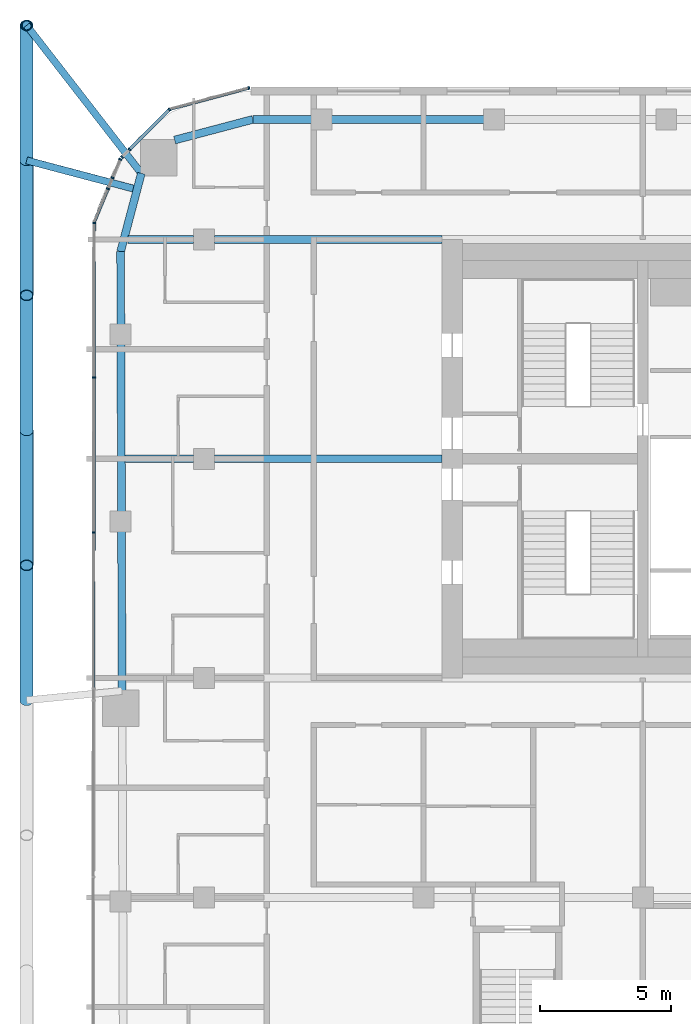
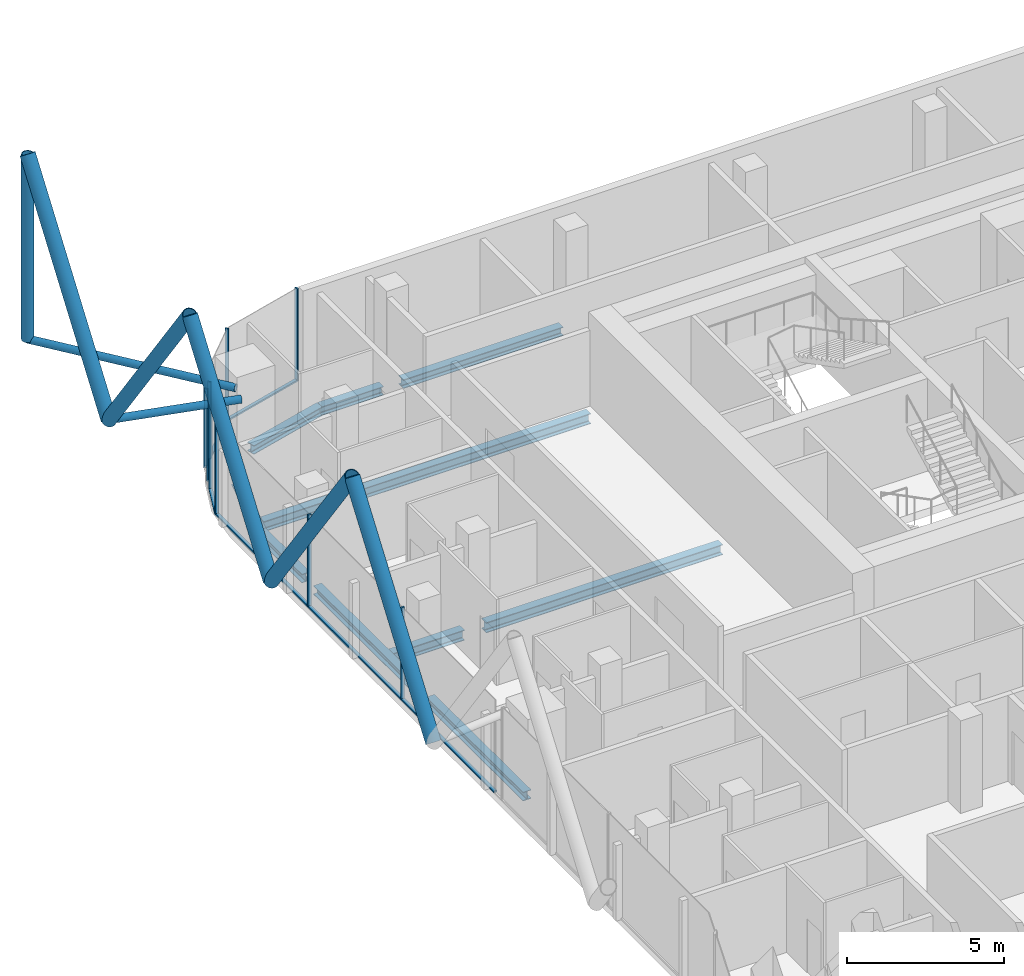
# One storey, part 8 of 31: 24 members, 11 beams, 7 elements without a shape of their own.
"""IFC4 building model written with IfcOpenShell, lengths in metres."""

import ifcopenshell
import ifcopenshell.guid

model = None  # the IFC model being written
_history = None  # IfcOwnerHistory: only IFC2X3 demands one
_inside = {}  # id of a spatial element -> (the spatial element, [elements in it])
_under = {}  # id of a project, library or spatial element -> (it, [spatial elements below it])
_declared = {}  # id of a project -> (the project, [libraries it declares])
_typed = {}  # id of a type object -> (the type object, [elements of that type])
_made_of = {}  # id of a material, layer set ... -> (it, [elements and type objects made of it])


def new_model(schema):
    """Start an empty IFC model of exactly this schema.

    Asked for "IFC4X3", IfcOpenShell would pick the latest addendum, in which some entities
    have other attributes; the version numbers below select the first issue.
    IFC2X3 requires an IfcOwnerHistory on every rooted entity: one is made here for all.
    """
    global model, _history
    if schema == "IFC4X3":
        model = ifcopenshell.file(schema_version=(4, 3, 0, 0))
    else:
        model = ifcopenshell.file(schema=schema)
    _inside.clear()
    _under.clear()
    _declared.clear()
    _typed.clear()
    _made_of.clear()
    _history = None
    if model.schema == "IFC2X3":
        org = make("IfcOrganization", Name="unknown")
        user = make(
            "IfcPersonAndOrganization",
            ThePerson=make("IfcPerson", FamilyName="unknown"),
            TheOrganization=org,
        )
        app = make(
            "IfcApplication",
            ApplicationDeveloper=org,
            Version="unknown",
            ApplicationFullName="unknown",
            ApplicationIdentifier="unknown",
        )
        _history = make(
            "IfcOwnerHistory",
            OwningUser=user,
            OwningApplication=app,
            ChangeAction="ADDED",
            CreationDate=0,
        )
    return model


def make(cls, **values):
    """One entity of the class cls with the attributes given. An attribute that is None is left unset."""
    return model.create_entity(
        cls, **{name: value for name, value in values.items() if value is not None}
    )


def rooted(cls, **values):
    """An entity with a GlobalId (a new one), such as an element, a storey or a relation."""
    return make(cls, GlobalId=ifcopenshell.guid.new(), OwnerHistory=_history, **values)


def si_unit(unit_type, name, prefix=None):
    """IfcSIUnit, for example si_unit("LENGTHUNIT", "METRE", prefix="MILLI")."""
    return make("IfcSIUnit", UnitType=unit_type, Prefix=prefix, Name=name)


def assignment(units):
    """IfcUnitAssignment: the units of a project."""
    return None if units is None else make("IfcUnitAssignment", Units=units)


def point(xyz):
    """IfcCartesianPoint."""
    return None if xyz is None else make("IfcCartesianPoint", Coordinates=xyz)


def direction(xyz):
    """IfcDirection."""
    return None if xyz is None else make("IfcDirection", DirectionRatios=xyz)


def frame(location, z_axis=None, x_axis=None):
    """IfcAxis2Placement3D, a coordinate frame: its origin and axes. An axis left out is left unset."""
    return make(
        "IfcAxis2Placement3D",
        Location=point(location),
        Axis=direction(z_axis),
        RefDirection=direction(x_axis),
    )


def frame_2d(location, x_axis=None):
    """IfcAxis2Placement2D, a coordinate frame in the plane: its origin and x axis."""
    return make(
        "IfcAxis2Placement2D", Location=point(location), RefDirection=direction(x_axis)
    )


def origin():
    """The frame at (0, 0, 0) with its axes left unset."""
    return frame((0.0, 0.0, 0.0))


def origin_2d():
    """The frame at (0, 0) in the plane with its x axis left unset."""
    return frame_2d((0.0, 0.0))


def place(relative_to, where):
    """IfcLocalPlacement: puts the frame where relative to a parent placement (None: the world)."""
    return make(
        "IfcLocalPlacement", PlacementRelTo=relative_to, RelativePlacement=where
    )


def context(
    kind, dimensions, precision=None, world=None, true_north=None, identifier=None
):
    """IfcGeometricRepresentationContext, for example the 3D "Model" context."""
    return make(
        "IfcGeometricRepresentationContext",
        ContextIdentifier=identifier,
        ContextType=kind,
        CoordinateSpaceDimension=dimensions,
        Precision=precision,
        WorldCoordinateSystem=world,
        TrueNorth=true_north,
    )


def subcontext(parent, identifier, kind, view, scale=None):
    """IfcGeometricRepresentationSubContext, for example "Body" below "Model"."""
    return make(
        "IfcGeometricRepresentationSubContext",
        ContextIdentifier=identifier,
        ContextType=kind,
        ParentContext=parent,
        TargetScale=scale,
        TargetView=view,
    )


def project(units=None, contexts=None):
    """IfcProject with its units and contexts."""
    return rooted(
        "IfcProject",
        Name="project",
        RepresentationContexts=contexts,
        UnitsInContext=assignment(units),
    )


def spatial(cls, under=None, at=None, **own):
    """A site, building, storey or space (cls), placed at a placement, below another one or the project."""
    s = rooted(cls, ObjectPlacement=at, **own)
    if under is not None:
        _under.setdefault(under.id(), (under, []))[1].append(s)
    return s


def profile(cls, at=None, kind="AREA", **sizes):
    """A parametric profile (cls). Its sizes go by their IFC names, for example OverallWidth=200.0."""
    return make(cls, ProfileType=kind, Position=at, **sizes)


def rectangle(**sizes):
    """IfcRectangleProfileDef."""
    return profile("IfcRectangleProfileDef", **sizes)


def hollow_circle(**sizes):
    """IfcCircleHollowProfileDef."""
    return profile("IfcCircleHollowProfileDef", **sizes)


def i_section(**sizes):
    """IfcIShapeProfileDef."""
    return profile("IfcIShapeProfileDef", **sizes)


def extrude(swept, where, along, depth):
    """IfcExtrudedAreaSolid: the profile swept, set in the frame where, extruded along a direction by depth."""
    return make(
        "IfcExtrudedAreaSolid",
        SweptArea=swept,
        Position=where,
        ExtrudedDirection=direction(along),
        Depth=depth,
    )


def shape(context_of_items, identifier, shape_type, items):
    """IfcShapeRepresentation: the items that make up one representation, for example the "Body"."""
    return make(
        "IfcShapeRepresentation",
        ContextOfItems=context_of_items,
        RepresentationIdentifier=identifier,
        RepresentationType=shape_type,
        Items=items,
    )


def material(Name=None, Category=None):
    """IfcMaterial."""
    return make("IfcMaterial", Name=Name, Category=Category)


def layer(
    of_material, thickness, ventilated=None, Name=None, Category=None, Priority=None
):
    """IfcMaterialLayer: one layer of a wall or slab, of a material (None: an air gap)."""
    return make(
        "IfcMaterialLayer",
        Material=of_material,
        LayerThickness=thickness,
        IsVentilated=ventilated,
        Name=Name,
        Category=Category,
        Priority=Priority,
    )


def layer_set(layers, Name=None):
    """IfcMaterialLayerSet."""
    return make("IfcMaterialLayerSet", MaterialLayers=layers, LayerSetName=Name)


def material_profile(
    of_material, cross_section, Name=None, Category=None, Priority=None
):
    """IfcMaterialProfile: a cross section and its material."""
    return make(
        "IfcMaterialProfile",
        Name=Name,
        Material=of_material,
        Profile=cross_section,
        Priority=Priority,
        Category=Category,
    )


def profile_set(profiles, Name=None, composite=None):
    """IfcMaterialProfileSet."""
    return make(
        "IfcMaterialProfileSet",
        Name=Name,
        MaterialProfiles=profiles,
        CompositeProfile=composite,
    )


def made_of(thing, what):
    """Note that an element or type object is made of a material, layer set ...; save() writes the relation."""
    if what is not None:
        _made_of.setdefault(what.id(), (what, []))[1].append(thing)
    return thing


def type_object(cls, material=None, **own):
    """A type object (cls), such as IfcWallType, which elements share."""
    return made_of(rooted(cls, **own), material)


def element(
    cls,
    number,
    at=None,
    inside=None,
    cuts=None,
    type_object=None,
    material=None,
    context=None,
    identifier="Body",
    shape_type=None,
    held_by="IfcProductDefinitionShape",
    body=None,
    shapes=None,
    **own,
):
    """One element of the class cls, such as IfcWall. Its Tag is "e" and its number.

    at: its placement. inside: the storey or other place that contains it. cuts: it is an
    opening in that element (IfcRelVoidsElement). A single representation is given by context,
    identifier, shape_type and body (its items); several are given by shapes. held_by: the class
    of the entity that holds the representations. save() writes the other relations.
    """
    e = rooted(cls, Tag="e%d" % number, ObjectPlacement=at, **own)
    if body is not None:
        shapes = [shape(context, identifier, shape_type, body)]
    if shapes is not None:
        e.Representation = make(held_by, Representations=shapes)
    if inside is not None:
        _inside.setdefault(inside.id(), (inside, []))[1].append(e)
    if cuts is not None:
        rooted(
            "IfcRelVoidsElement", RelatingBuildingElement=cuts, RelatedOpeningElement=e
        )
    if type_object is not None:
        _typed.setdefault(type_object.id(), (type_object, []))[1].append(e)
    return made_of(e, material)


def aggregate(whole, parts):
    """IfcRelAggregates: a whole, such as a stair, and the parts it consists of."""
    return rooted("IfcRelAggregates", RelatingObject=whole, RelatedObjects=parts)


def save(model, path):
    """Write the relations noted so far, then the file.

    IfcRelAggregates (storeys below a building ...), IfcRelContainedInSpatialStructure (elements
    in a storey), IfcRelDefinesByType, IfcRelAssociatesMaterial and IfcRelDeclares: one each for
    every whole, place, type object, material and project.
    """
    for whole, parts in _under.values():
        aggregate(whole, parts)
    for where, things in _inside.values():
        rooted(
            "IfcRelContainedInSpatialStructure",
            RelatedElements=things,
            RelatingStructure=where,
        )
    for kind, things in _typed.values():
        rooted("IfcRelDefinesByType", RelatedObjects=things, RelatingType=kind)
    for what, things in _made_of.values():
        rooted("IfcRelAssociatesMaterial", RelatedObjects=things, RelatingMaterial=what)
    for by, libraries in _declared.values():
        rooted("IfcRelDeclares", RelatingContext=by, RelatedDefinitions=libraries)
    model.write(path)


model = new_model("IFC4")

# Units and contexts
model_context = context("Model", 3, precision=1e-05, world=origin(), true_north=direction((0.0, 1.0)))
body_context = subcontext(model_context, "Body", "Model", "MODEL_VIEW")
ifc_project = project(units=[si_unit("LENGTHUNIT", "METRE"), si_unit("AREAUNIT", "SQUARE_METRE"), si_unit("VOLUMEUNIT", "CUBIC_METRE"), si_unit("PLANEANGLEUNIT", "RADIAN"), si_unit("MASSUNIT", "GRAM", prefix="KILO")], contexts=[model_context])

# Site, building, storey
site_placement = place(None, origin())
site = spatial("IfcSite", under=ifc_project, at=site_placement, CompositionType="ELEMENT")
building_placement = place(site_placement, origin())
building = spatial("IfcBuilding", under=site, at=building_placement, Name="Marenta Gate Hotel Tower", CompositionType="ELEMENT")
storey_placement = place(building_placement, frame((0.0, 0.0, 220.10009765625)))
storey = spatial("IfcBuildingStorey", under=building, at=storey_placement, Name="L51", CompositionType="ELEMENT", Elevation=220.10009765625)

# Members
ifc_material_1 = material(Name="Steel S355J2W", Category="steel")
ifc_material_profile_1 = material_profile(ifc_material_1, hollow_circle(Radius=0.203125, WallThickness=0.02490234375, at=origin_2d()), Name="CHS 406.4x25")
ifc_profile_set_1 = profile_set([ifc_material_profile_1], Name="Steel S355J2W")
member_type_1 = type_object("IfcMemberType", Name="Diagrid corner post Z3 CHS 406.4x25", PredefinedType="POST", material=ifc_profile_set_1)
member_1_placement = place(storey_placement, frame((-27.800048828125, 25.0, 3.139892578125), z_axis=(0.0, 0.0, 1.0), x_axis=(1.0, 0.0, 0.0)))
element("IfcMember", 1, at=member_1_placement, inside=storey, type_object=member_type_1, Name="L51-DR-6", PredefinedType="POST", context=body_context, shape_type="SweptSolid", body=[
    extrude(hollow_circle(Radius=0.203125, WallThickness=0.02490234375, at=origin_2d()), origin(), (0.0, 0.0, 1.0), 7.199951171875),
])
ifc_material_2 = material(Name="Steel S355J2W", Category="steel")
ifc_material_profile_2 = material_profile(ifc_material_2, hollow_circle(Radius=0.25390625, WallThickness=0.02490234375, at=origin_2d()), Name="CHS 508x25")
ifc_profile_set_2 = profile_set([ifc_material_profile_2], Name="Steel S355J2W")
member_type_2 = type_object("IfcMemberType", Name="Diagrid diagonal Z3 CHS 508x25", PredefinedType="BRACE", material=ifc_profile_set_2)
member_2_placement = place(storey_placement, frame((-27.800048828125, -0.85009765625, 3.139892578125), z_axis=(0.0, 0.583260841117, 0.812284919975), x_axis=(-1.0, 0.0, 0.0)))
element("IfcMember", 2, at=member_2_placement, inside=storey, type_object=member_type_2, Name="L51-DG-30", PredefinedType="BRACE", context=body_context, shape_type="SweptSolid", body=[
    extrude(hollow_circle(Radius=0.25390625, WallThickness=0.02490234375, at=origin_2d()), origin(), (0.0, 0.0, 1.0), 8.86376953125),
])
member_3_placement = place(storey_placement, frame((-27.800048828125, 9.489990234375, 3.139892578125), z_axis=(0.0, -0.583279014058, 0.812271870595), x_axis=(1.0, 0.0, 0.0)))
element("IfcMember", 3, at=member_3_placement, inside=storey, type_object=member_type_2, Name="L51-DG-31", PredefinedType="BRACE", context=body_context, shape_type="SweptSolid", body=[
    extrude(hollow_circle(Radius=0.25390625, WallThickness=0.02490234375, at=origin_2d()), origin(), (0.0, 0.0, 1.0), 8.864013671875),
])
member_4_placement = place(storey_placement, frame((-27.800048828125, 9.489990234375, 3.139892578125), z_axis=(0.0, 0.583260841117, 0.812284919975), x_axis=(-1.0, 0.0, 0.0)))
element("IfcMember", 4, at=member_4_placement, inside=storey, type_object=member_type_2, Name="L51-DG-32", PredefinedType="BRACE", context=body_context, shape_type="SweptSolid", body=[
    extrude(hollow_circle(Radius=0.25390625, WallThickness=0.02490234375, at=origin_2d()), origin(), (0.0, 0.0, 1.0), 8.86376953125),
])
member_5_placement = place(storey_placement, frame((-27.800048828125, 19.830078125, 3.139892578125), z_axis=(0.0, -0.583279014058, 0.812271870595), x_axis=(1.0, 0.0, 0.0)))
element("IfcMember", 5, at=member_5_placement, inside=storey, type_object=member_type_2, Name="L51-DG-33", PredefinedType="BRACE", context=body_context, shape_type="SweptSolid", body=[
    extrude(hollow_circle(Radius=0.25390625, WallThickness=0.02490234375, at=origin_2d()), origin(), (0.0, 0.0, 1.0), 8.864013671875),
])
member_6_placement = place(storey_placement, frame((-27.800048828125, 19.830078125, 3.139892578125), z_axis=(0.0, 0.583260841117, 0.812284919975), x_axis=(-1.0, 0.0, 0.0)))
element("IfcMember", 6, at=member_6_placement, inside=storey, type_object=member_type_2, Name="L51-DG-34", PredefinedType="BRACE", context=body_context, shape_type="SweptSolid", body=[
    extrude(hollow_circle(Radius=0.25390625, WallThickness=0.02490234375, at=origin_2d()), origin(), (0.0, 0.0, 1.0), 8.86376953125),
])

# Beams
ifc_material_3 = material(Name="Steel S355", Category="steel")
ifc_material_profile_3 = material_profile(ifc_material_3, i_section(OverallWidth=0.300048828125, OverallDepth=0.340087890625, WebThickness=0.011962890625, FlangeThickness=0.021484375, FilletRadius=0.027099609375, at=origin_2d()), Name="HEB 340")
ifc_profile_set_3 = profile_set([ifc_material_profile_3], Name="Steel S355")
beam_type_1 = type_object("IfcBeamType", Name="Edge beam HEB 340", PredefinedType="SPANDREL", material=ifc_profile_set_3)
beam_1_placement = place(storey_placement, frame((-24.14404296875, -0.489990234375, -0.43017578125), z_axis=(-0.003303859048, 0.999994542243, 0.0), x_axis=(-0.999994542243, -0.003303859048, 0.0)))
element("IfcBeam", 7, at=beam_1_placement, inside=storey, type_object=beam_type_1, Name="L51-EB-8", PredefinedType="SPANDREL", context=body_context, shape_type="SweptSolid", body=[
    extrude(i_section(OverallWidth=0.300048828125, OverallDepth=0.340087890625, WebThickness=0.011962890625, FlangeThickness=0.021484375, FilletRadius=0.027099609375, at=origin_2d()), origin(), (0.0, 0.0, 1.0), 6.13330078125),
])
beam_2_placement = place(storey_placement, frame((-24.166748046875, 6.36328125, -0.43017578125), z_axis=(-0.00333963982, 0.999994423387, 0.0), x_axis=(-0.999994423387, -0.00333963982, 0.0)))
element("IfcBeam", 8, at=beam_2_placement, inside=storey, type_object=beam_type_1, Name="L51-EB-9", PredefinedType="SPANDREL", context=body_context, shape_type="SweptSolid", body=[
    extrude(i_section(OverallWidth=0.300048828125, OverallDepth=0.340087890625, WebThickness=0.011962890625, FlangeThickness=0.021484375, FilletRadius=0.027099609375, at=origin_2d()), origin(), (0.0, 0.0, 1.0), 6.43310546875),
])
beam_3_placement = place(storey_placement, frame((-24.190673828125, 13.516357421875, -0.43017578125), z_axis=(-0.003292020626, 0.999994581285, 0.0), x_axis=(-0.999994581285, -0.003292020626, 0.0)))
element("IfcBeam", 9, at=beam_3_placement, inside=storey, type_object=beam_type_1, Name="L51-EB-10", PredefinedType="SPANDREL", context=body_context, shape_type="SweptSolid", body=[
    extrude(i_section(OverallWidth=0.300048828125, OverallDepth=0.340087890625, WebThickness=0.011962890625, FlangeThickness=0.021484375, FilletRadius=0.027099609375, at=origin_2d()), origin(), (0.0, 0.0, 1.0), 2.818115234375),
])
beam_4_placement = place(storey_placement, frame((-24.199951171875, 16.33447265625, -0.43017578125), z_axis=(0.255648013319, 0.966769927794, 0.0), x_axis=(-0.966769927794, 0.255648013319, 0.0)))
element("IfcBeam", 10, at=beam_4_placement, inside=storey, type_object=beam_type_1, Name="L51-EB-11", PredefinedType="SPANDREL", context=body_context, shape_type="SweptSolid", body=[
    extrude(i_section(OverallWidth=0.300048828125, OverallDepth=0.340087890625, WebThickness=0.011962890625, FlangeThickness=0.021484375, FilletRadius=0.027099609375, at=origin_2d()), origin(), (0.0, 0.0, 1.0), 3.100830078125),
])
beam_5_placement = place(storey_placement, frame((-22.132080078125, 20.607177734375, -0.43017578125), z_axis=(0.9667647815, 0.25566747398, 0.0), x_axis=(-0.25566747398, 0.9667647815, 0.0)))
element("IfcBeam", 11, at=beam_5_placement, inside=storey, type_object=beam_type_1, Name="L51-EB-12", PredefinedType="SPANDREL", context=body_context, shape_type="SweptSolid", body=[
    extrude(i_section(OverallWidth=0.300048828125, OverallDepth=0.340087890625, WebThickness=0.011962890625, FlangeThickness=0.021484375, FilletRadius=0.027099609375, at=origin_2d()), origin(), (0.0, 0.0, 1.0), 3.1005859375),
])
beam_6_placement = place(storey_placement, frame((-19.134521484375, 21.39990234375, -0.43017578125), z_axis=(1.0, 0.0, 0.0), x_axis=(0.0, 1.0, 0.0)))
element("IfcBeam", 12, at=beam_6_placement, inside=storey, type_object=beam_type_1, Name="L51-EB-13", PredefinedType="SPANDREL", context=body_context, shape_type="SweptSolid", body=[
    extrude(i_section(OverallWidth=0.300048828125, OverallDepth=0.340087890625, WebThickness=0.011962890625, FlangeThickness=0.021484375, FilletRadius=0.027099609375, at=origin_2d()), origin(), (0.0, 0.0, 1.0), 2.267578125),
])
beam_7_placement = place(storey_placement, frame((-16.14697265625, 21.39990234375, -0.43017578125), z_axis=(1.0, 0.0, 0.0), x_axis=(0.0, 1.0, 0.0)))
element("IfcBeam", 13, at=beam_7_placement, inside=storey, type_object=beam_type_1, Name="L51-EB-14", PredefinedType="SPANDREL", context=body_context, shape_type="SweptSolid", body=[
    extrude(i_section(OverallWidth=0.300048828125, OverallDepth=0.340087890625, WebThickness=0.011962890625, FlangeThickness=0.021484375, FilletRadius=0.027099609375, at=origin_2d()), origin(), (0.0, 0.0, 1.0), 5.8828125),
])

# Members
ifc_material_4 = material(Name="Steel S355J2W", Category="steel")
ifc_material_profile_4 = material_profile(ifc_material_4, hollow_circle(Radius=0.136474609375, WallThickness=0.012451171875, at=origin_2d()), Name="CHS 273x12.5")
ifc_profile_set_4 = profile_set([ifc_material_profile_4], Name="Steel S355J2W")
member_type_3 = type_object("IfcMemberType", Name="Floor tie CHS 273x12.5", PredefinedType="STRUT", material=ifc_profile_set_4)
member_7_placement = place(storey_placement, frame((-27.800048828125, 19.830078125, 3.139892578125), z_axis=(0.966769042409, -0.255651361506, 0.0), x_axis=(0.255651361506, 0.966769042409, 0.0)))
element("IfcMember", 14, at=member_7_placement, inside=storey, type_object=member_type_3, Name="L51-DR-21", PredefinedType="STRUT", context=body_context, shape_type="SweptSolid", body=[
    extrude(hollow_circle(Radius=0.136474609375, WallThickness=0.012451171875, at=origin_2d()), origin(), (0.0, 0.0, 1.0), 4.3681640625),
])
member_8_placement = place(storey_placement, frame((-27.800048828125, 25.0, 3.139892578125), z_axis=(0.61259242592, -0.790398962363, 0.0), x_axis=(0.790398962363, 0.61259242592, 0.0)))
element("IfcMember", 15, at=member_8_placement, inside=storey, type_object=member_type_3, Name="L51-DR-22", PredefinedType="STRUT", context=body_context, shape_type="SweptSolid", body=[
    extrude(hollow_circle(Radius=0.136474609375, WallThickness=0.012451171875, at=origin_2d()), origin(), (0.0, 0.0, 1.0), 7.163330078125),
])

# Beams
ifc_material_5 = material(Name="Steel S355", Category="steel")
ifc_material_profile_5 = material_profile(ifc_material_5, i_section(OverallWidth=0.300048828125, OverallDepth=0.39990234375, WebThickness=0.013427734375, FlangeThickness=0.02392578125, FilletRadius=0.027099609375, at=origin_2d()), Name="HEB 400")
ifc_profile_set_5 = profile_set([ifc_material_profile_5], Name="Steel S355")
beam_type_2 = type_object("IfcBeamType", Name="Girder HEB 400", PredefinedType="BEAM", material=ifc_profile_set_5)
beam_8_placement = place(storey_placement, frame((-24.023681640625, 8.39990234375, -0.460205078125), z_axis=(1.0, 0.0, 0.0), x_axis=(0.0, 1.0, 0.0)))
element("IfcBeam", 16, at=beam_8_placement, inside=storey, type_object=beam_type_2, Name="L51-GD-25", PredefinedType="BEAM", context=body_context, shape_type="SweptSolid", body=[
    extrude(i_section(OverallWidth=0.300048828125, OverallDepth=0.39990234375, WebThickness=0.013427734375, FlangeThickness=0.02392578125, FilletRadius=0.027099609375, at=origin_2d()), origin(), (0.0, 0.0, 1.0), 2.623779296875),
])
beam_9_placement = place(storey_placement, frame((-20.60009765625, 8.39990234375, -0.460205078125), z_axis=(1.0, 0.0, 0.0), x_axis=(0.0, 1.0, 0.0)))
element("IfcBeam", 17, at=beam_9_placement, inside=storey, type_object=beam_type_2, Name="L51-GD-26", PredefinedType="BEAM", context=body_context, shape_type="SweptSolid", body=[
    extrude(i_section(OverallWidth=0.300048828125, OverallDepth=0.39990234375, WebThickness=0.013427734375, FlangeThickness=0.02392578125, FilletRadius=0.027099609375, at=origin_2d()), origin(), (0.0, 0.0, 1.0), 8.7001953125),
])
beam_10_placement = place(storey_placement, frame((-23.921630859375, 16.800048828125, -0.460205078125), z_axis=(1.0, 0.0, 0.0), x_axis=(0.0, 1.0, 0.0)))
element("IfcBeam", 18, at=beam_10_placement, inside=storey, type_object=beam_type_2, Name="L51-GD-29", PredefinedType="BEAM", context=body_context, shape_type="SweptSolid", body=[
    extrude(i_section(OverallWidth=0.300048828125, OverallDepth=0.39990234375, WebThickness=0.013427734375, FlangeThickness=0.02392578125, FilletRadius=0.027099609375, at=origin_2d()), origin(), (0.0, 0.0, 1.0), 2.521728515625),
])
beam_11_placement = place(storey_placement, frame((-20.60009765625, 16.800048828125, -0.460205078125), z_axis=(1.0, 0.0, 0.0), x_axis=(0.0, 1.0, 0.0)))
element("IfcBeam", 19, at=beam_11_placement, inside=storey, type_object=beam_type_2, Name="L51-GD-30", PredefinedType="BEAM", context=body_context, shape_type="SweptSolid", body=[
    extrude(i_section(OverallWidth=0.300048828125, OverallDepth=0.39990234375, WebThickness=0.013427734375, FlangeThickness=0.02392578125, FilletRadius=0.027099609375, at=origin_2d()), origin(), (0.0, 0.0, 1.0), 8.7001953125),
])

# Curtain wall, member
ifc_material_6 = material(Name="Tinted insulated glass in bronze anodised frame", Category="glass")
ifc_layer = layer(ifc_material_6, 0.1201171875)
ifc_layer_set = layer_set([ifc_layer], Name="Tinted insulated glass in bronze anodised frame")
curtain_wall_type = type_object("IfcCurtainWallType", Name="Tower unitised curtain wall CW1", PredefinedType="NOTDEFINED", material=ifc_layer_set)
curtain_wall_1_placement = place(storey_placement, origin())
curtain_wall_1 = element("IfcCurtainWall", 20, at=curtain_wall_1_placement, inside=storey, type_object=curtain_wall_type, Name="CW1 run G00", PredefinedType="NOTDEFINED")
ifc_material_7 = material(Name="Bronze anodised aluminium", Category="aluminium")
ifc_material_profile_6 = material_profile(ifc_material_7, rectangle(XDim=0.1201171875, YDim=0.06005859375, at=origin_2d()), Name="Mullion CW1 60x120 bronze anodised aluminium")
ifc_profile_set_6 = profile_set([ifc_material_profile_6], Name="Bronze anodised aluminium")
member_type_4 = type_object("IfcMemberType", Name="Mullion CW1 60x120 bronze anodised aluminium", PredefinedType="MULLION", material=ifc_profile_set_6)
member_9_placement = place(storey_placement, frame((-19.285400390625, 22.603271484375, 0.0), z_axis=(0.0, 0.0, 1.0), x_axis=(0.258801379183, -0.965930559685, 0.0)))
member_9 = element("IfcMember", 21, at=member_9_placement, type_object=member_type_4, Name="CW1 mullion 1", PredefinedType="MULLION", context=body_context, shape_type="SweptSolid", body=[
    extrude(rectangle(XDim=0.1201171875, YDim=0.06005859375, at=origin_2d()), origin(), (0.0, 0.0, 1.0), 3.599853515625),
])

curtain_wall_2_placement = place(storey_placement, origin())
curtain_wall_2 = element("IfcCurtainWall", 22, at=curtain_wall_2_placement, inside=storey, type_object=curtain_wall_type, Name="CW1 run G01", PredefinedType="NOTDEFINED")
member_10_placement = place(storey_placement, frame((-22.334228515625, 21.77099609375, 0.0), z_axis=(0.0, 0.0, 1.0), x_axis=(0.707106781187, -0.707106781187, 0.0)))
member_10 = element("IfcMember", 23, at=member_10_placement, type_object=member_type_4, Name="CW1 mullion 1", PredefinedType="MULLION", context=body_context, shape_type="SweptSolid", body=[
    extrude(rectangle(XDim=0.1201171875, YDim=0.06005859375, at=origin_2d()), origin(), (0.0, 0.0, 1.0), 3.599853515625),
])

# Curtain wall, members
curtain_wall_3_placement = place(storey_placement, origin())
curtain_wall_3 = element("IfcCurtainWall", 24, at=curtain_wall_3_placement, inside=storey, type_object=curtain_wall_type, Name="CW1 run G02", PredefinedType="NOTDEFINED")
member_11_placement = place(storey_placement, frame((-23.86328125, 20.24169921875, 0.0), z_axis=(0.0, 0.0, 1.0), x_axis=(0.707106781187, -0.707106781187, 0.0)))
member_11 = element("IfcMember", 25, at=member_11_placement, type_object=member_type_4, Name="CW1 mullion 1", PredefinedType="MULLION", context=body_context, shape_type="SweptSolid", body=[
    extrude(rectangle(XDim=0.1201171875, YDim=0.06005859375, at=origin_2d()), origin(), (0.0, 0.0, 1.0), 3.00048828125),
])
member_12_placement = place(storey_placement, frame((-24.143798828125, 19.961181640625, 0.0), z_axis=(0.0, 0.0, 1.0), x_axis=(0.707106781187, -0.707106781187, 0.0)))
member_12 = element("IfcMember", 26, at=member_12_placement, type_object=member_type_4, Name="CW1 mullion 2", PredefinedType="MULLION", context=body_context, shape_type="SweptSolid", body=[
    extrude(rectangle(XDim=0.1201171875, YDim=0.06005859375, at=origin_2d()), origin(), (0.0, 0.0, 1.0), 3.00048828125),
])
aggregate(curtain_wall_3, [member_11, member_12])

# Curtain wall, member
curtain_wall_4_placement = place(storey_placement, origin())
curtain_wall_4 = element("IfcCurtainWall", 27, at=curtain_wall_4_placement, inside=storey, type_object=curtain_wall_type, Name="CW1 run G03", PredefinedType="NOTDEFINED")
member_13_placement = place(storey_placement, frame((-24.215087890625, 19.87353515625, 0.0), z_axis=(0.0, 0.0, 1.0), x_axis=(0.923867791185, -0.382711777204, 0.0)))
member_13 = element("IfcMember", 28, at=member_13_placement, type_object=member_type_4, Name="CW1 mullion 1", PredefinedType="MULLION", context=body_context, shape_type="SweptSolid", body=[
    extrude(rectangle(XDim=0.1201171875, YDim=0.06005859375, at=origin_2d()), origin(), (0.0, 0.0, 1.0), 3.599853515625),
])
aggregate(curtain_wall_4, [member_13])

curtain_wall_5_placement = place(storey_placement, origin())
curtain_wall_5 = element("IfcCurtainWall", 29, at=curtain_wall_5_placement, inside=storey, type_object=curtain_wall_type, Name="CW1 run G04", PredefinedType="NOTDEFINED")
member_14_placement = place(storey_placement, frame((-24.50927734375, 19.163330078125, 0.0), z_axis=(0.0, 0.0, 1.0), x_axis=(0.923896848097, -0.382641626167, 0.0)))
member_14 = element("IfcMember", 30, at=member_14_placement, type_object=member_type_4, Name="CW1 mullion 1", PredefinedType="MULLION", context=body_context, shape_type="SweptSolid", body=[
    extrude(rectangle(XDim=0.1201171875, YDim=0.06005859375, at=origin_2d()), origin(), (0.0, 0.0, 1.0), 3.00048828125),
])
aggregate(curtain_wall_5, [member_14])

curtain_wall_6_placement = place(storey_placement, origin())
curtain_wall_6 = element("IfcCurtainWall", 31, at=curtain_wall_6_placement, inside=storey, type_object=curtain_wall_type, Name="CW1 run G05", PredefinedType="NOTDEFINED")
member_15_placement = place(storey_placement, frame((-24.684326171875, 18.740966796875, 0.0), z_axis=(0.0, 0.0, 1.0), x_axis=(0.923893220226, -0.382650385627, 0.0)))
member_15 = element("IfcMember", 32, at=member_15_placement, type_object=member_type_4, Name="CW1 mullion 1", PredefinedType="MULLION", context=body_context, shape_type="SweptSolid", body=[
    extrude(rectangle(XDim=0.1201171875, YDim=0.06005859375, at=origin_2d()), origin(), (0.0, 0.0, 1.0), 3.599853515625),
])

# Curtain wall, members
curtain_wall_7_placement = place(storey_placement, origin())
curtain_wall_7 = element("IfcCurtainWall", 33, at=curtain_wall_7_placement, inside=storey, type_object=curtain_wall_type, Name="CW1 run G06", PredefinedType="NOTDEFINED")
member_16_placement = place(storey_placement, frame((-25.21240234375, 17.436279296875, 0.0), z_axis=(0.0, 0.0, 1.0), x_axis=(0.999998767857, -0.001569803969, 0.0)))
member_16 = element("IfcMember", 34, at=member_16_placement, type_object=member_type_4, Name="CW1 mullion 1", PredefinedType="MULLION", context=body_context, shape_type="SweptSolid", body=[
    extrude(rectangle(XDim=0.1201171875, YDim=0.06005859375, at=origin_2d()), origin(), (0.0, 0.0, 1.0), 3.599853515625),
])
member_17_placement = place(storey_placement, frame((-25.2216796875, 11.520751953125, 0.0), z_axis=(0.0, 0.0, 1.0), x_axis=(0.999998767857, -0.001569803969, 0.0)))
member_17 = element("IfcMember", 35, at=member_17_placement, type_object=member_type_4, Name="CW1 mullion 2", PredefinedType="MULLION", context=body_context, shape_type="SweptSolid", body=[
    extrude(rectangle(XDim=0.1201171875, YDim=0.06005859375, at=origin_2d()), origin(), (0.0, 0.0, 1.0), 3.599853515625),
])
member_18_placement = place(storey_placement, frame((-25.23095703125, 5.5751953125, 0.0), z_axis=(0.0, 0.0, 1.0), x_axis=(0.999998767857, -0.001569803969, 0.0)))
member_18 = element("IfcMember", 36, at=member_18_placement, type_object=member_type_4, Name="CW1 mullion 3", PredefinedType="MULLION", context=body_context, shape_type="SweptSolid", body=[
    extrude(rectangle(XDim=0.1201171875, YDim=0.06005859375, at=origin_2d()), origin(), (0.0, 0.0, 1.0), 3.599853515625),
])

# Member
ifc_material_8 = material(Name="Bronze anodised aluminium", Category="aluminium")
ifc_material_profile_7 = material_profile(ifc_material_8, rectangle(XDim=0.1201171875, YDim=0.06005859375, at=origin_2d()), Name="Transom CW1 60x120 bronze anodised aluminium")
ifc_profile_set_7 = profile_set([ifc_material_profile_7], Name="Bronze anodised aluminium")
member_type_5 = type_object("IfcMemberType", Name="Transom CW1 60x120 bronze anodised aluminium", PredefinedType="USERDEFINED", material=ifc_profile_set_7)
member_19_placement = place(storey_placement, frame((-19.314453125, 22.595458984375, 0.02978515625), z_axis=(-0.965924882171, -0.258822568574, 0.0), x_axis=(0.258822568574, -0.965924882171, 0.0)))
member_19 = element("IfcMember", 37, at=member_19_placement, type_object=member_type_5, Name="CW1 transom 1.1", ObjectType="TRANSOM", PredefinedType="USERDEFINED", context=body_context, shape_type="SweptSolid", body=[
    extrude(rectangle(XDim=0.1201171875, YDim=0.06005859375, at=origin_2d()), origin(), (0.0, 0.0, 1.0), 3.104248046875),
])

aggregate(curtain_wall_1, [member_9, member_19])

member_20_placement = place(storey_placement, frame((-22.355224609375, 21.749755859375, 0.02978515625), z_axis=(-0.707106781187, -0.707106781187, 0.0), x_axis=(0.707106781187, -0.707106781187, 0.0)))
member_20 = element("IfcMember", 38, at=member_20_placement, type_object=member_type_5, Name="CW1 transom 1.1", ObjectType="TRANSOM", PredefinedType="USERDEFINED", context=body_context, shape_type="SweptSolid", body=[
    extrude(rectangle(XDim=0.1201171875, YDim=0.06005859375, at=origin_2d()), origin(), (0.0, 0.0, 1.0), 2.102783203125),
])

aggregate(curtain_wall_2, [member_10, member_20])

member_21_placement = place(storey_placement, frame((-24.69580078125, 18.71337890625, 0.02978515625), z_axis=(-0.382713863941, -0.923866926753, 0.0), x_axis=(0.923866926753, -0.382713863941, 0.0)))
member_21 = element("IfcMember", 39, at=member_21_placement, type_object=member_type_5, Name="CW1 transom 1.1", ObjectType="TRANSOM", PredefinedType="USERDEFINED", context=body_context, shape_type="SweptSolid", body=[
    extrude(rectangle(XDim=0.1201171875, YDim=0.06005859375, at=origin_2d()), origin(), (0.0, 0.0, 1.0), 1.349853515625),
])

aggregate(curtain_wall_6, [member_15, member_21])

member_22_placement = place(storey_placement, frame((-25.21240234375, 17.40625, 0.02978515625), z_axis=(-0.001584387604, -0.999998744857, 0.0), x_axis=(0.999998744857, -0.001584387604, 0.0)))
member_22 = element("IfcMember", 40, at=member_22_placement, type_object=member_type_5, Name="CW1 transom 1.1", ObjectType="TRANSOM", PredefinedType="USERDEFINED", context=body_context, shape_type="SweptSolid", body=[
    extrude(rectangle(XDim=0.1201171875, YDim=0.06005859375, at=origin_2d()), origin(), (0.0, 0.0, 1.0), 5.85546875),
])

member_23_placement = place(storey_placement, frame((-25.2216796875, 11.49072265625, 0.02978515625), z_axis=(-0.001576303679, -0.999998757633, 0.0), x_axis=(0.999998757633, -0.001576303679, 0.0)))
member_23 = element("IfcMember", 41, at=member_23_placement, type_object=member_type_5, Name="CW1 transom 2.1", ObjectType="TRANSOM", PredefinedType="USERDEFINED", context=body_context, shape_type="SweptSolid", body=[
    extrude(rectangle(XDim=0.1201171875, YDim=0.06005859375, at=origin_2d()), origin(), (0.0, 0.0, 1.0), 5.885498046875),
])

member_24_placement = place(storey_placement, frame((-25.23095703125, 5.545166015625, 0.02978515625), z_axis=(-0.001568301827, -0.999998770214, 0.0), x_axis=(0.999998770214, -0.001568301827, 0.0)))
member_24 = element("IfcMember", 42, at=member_24_placement, type_object=member_type_5, Name="CW1 transom 3.1", ObjectType="TRANSOM", PredefinedType="USERDEFINED", context=body_context, shape_type="SweptSolid", body=[
    extrude(rectangle(XDim=0.1201171875, YDim=0.06005859375, at=origin_2d()), origin(), (0.0, 0.0, 1.0), 5.91552734375),
])

aggregate(curtain_wall_7, [member_16, member_17, member_18, member_22, member_23, member_24])

save(model, "model.ifc")
